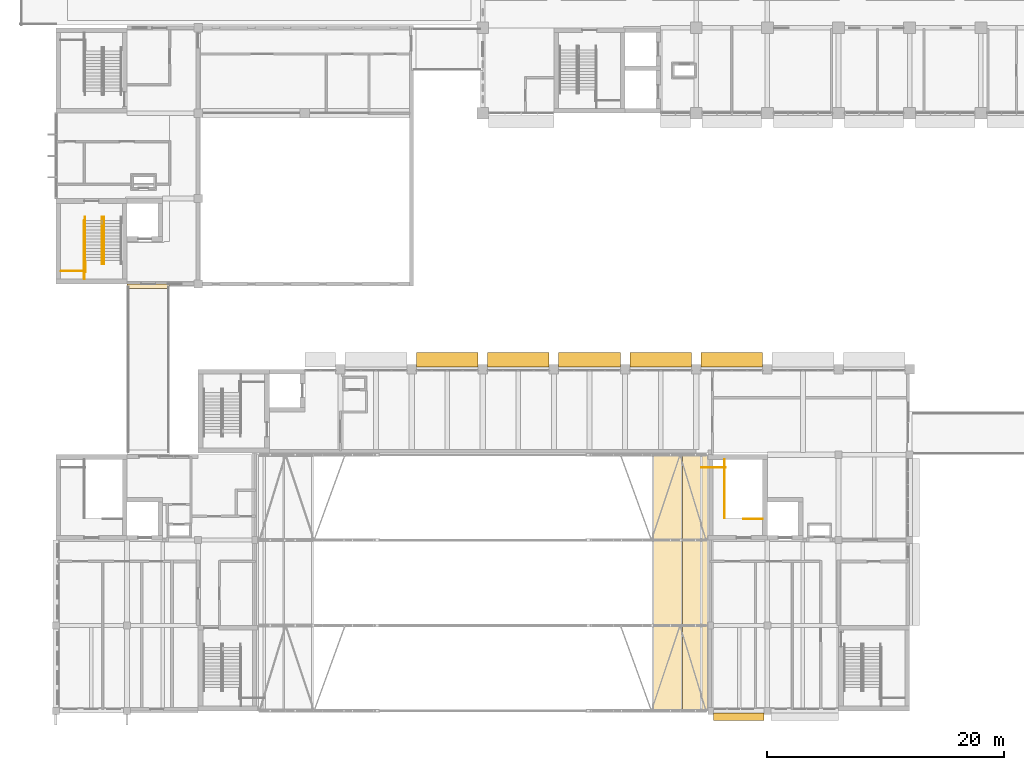
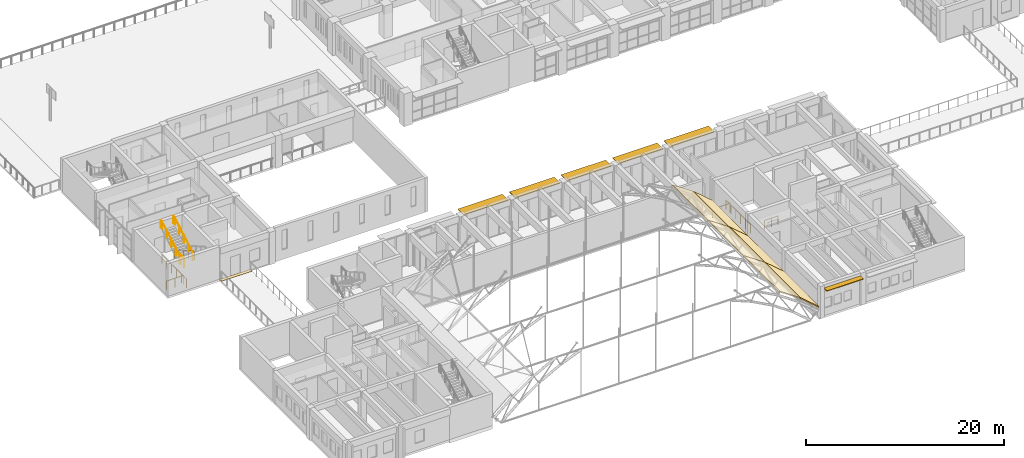
# One storey, part 90 of 101: 9 railings, 7 coverings, 6 shading devices.
"""IFC4 building model written with IfcOpenShell, lengths in metres."""

from ifc_helpers import new_model, si_unit, direction, frame, origin, origin_2d, place, context, subcontext, project, spatial, polyline, rectangle, circle, outline, extrude, material, layer, layer_set, type_object, element, save


model = new_model("IFC4")

# Units and contexts
model_context = context("Model", 3, precision=1e-05, world=origin(), true_north=direction((0.0, 1.0)))
body_context = subcontext(model_context, "Body", "Model", "MODEL_VIEW")
ifc_project = project(units=[si_unit("LENGTHUNIT", "METRE"), si_unit("AREAUNIT", "SQUARE_METRE"), si_unit("VOLUMEUNIT", "CUBIC_METRE"), si_unit("PLANEANGLEUNIT", "RADIAN"), si_unit("MASSUNIT", "GRAM", prefix="KILO")], contexts=[model_context])

# Site, building, storey
site_placement = place(None, origin())
site = spatial("IfcSite", under=ifc_project, at=site_placement, CompositionType="ELEMENT")
building_placement = place(site_placement, origin())
building = spatial("IfcBuilding", under=site, at=building_placement, Name="Laocheng Heights Fire and Rescue Headquarters", CompositionType="ELEMENT")
storey_placement = place(building_placement, frame((0.0, 0.0, 8.39990234375)))
storey = spatial("IfcBuildingStorey", under=building, at=storey_placement, Name="L02", CompositionType="ELEMENT", Elevation=8.39990234375)

# Coverings
ifc_material_1 = material(Name="Standing-seam aluminium roof panel on insulated profiled deck", Category="aluminium")
ifc_layer_1 = layer(ifc_material_1, 0.1201171875)
ifc_layer_set_1 = layer_set([ifc_layer_1], Name="Standing-seam aluminium roof panel on insulated profiled deck")
covering_type_1 = type_object("IfcCoveringType", Name="BAY ROOF COVERING 120", PredefinedType="ROOFING", material=ifc_layer_set_1)
covering_1_placement = place(storey_placement, frame((50.41796875, 0.0, 4.831298828125), z_axis=(0.562371430188, 0.0, 0.826884740764), x_axis=(0.826884740764, 0.0, -0.562371430188)))
element("IfcCovering", 1, at=covering_1_placement, inside=storey, type_object=covering_type_1, Name="Roof covering facet 15 bay 1", PredefinedType="ROOFING", context=body_context, shape_type="SweptSolid", body=[
    extrude(outline(polyline([(0.0, 0.0), (2.936000938603124, 0.0), (2.936000938603124, 7.199951171875002), (0.0, 7.199951171875002), (0.0, 0.0)])), origin(), (0.0, 0.0, -1.0), 0.1201171875),
])
covering_2_placement = place(storey_placement, frame((52.85693359375, 0.0, 3.17138671875), z_axis=(0.64997068291, 0.0, 0.759959282697), x_axis=(0.759959282697, 0.0, -0.64997068291)))
element("IfcCovering", 2, at=covering_2_placement, inside=storey, type_object=covering_type_1, Name="Roof covering facet 16 bay 1", PredefinedType="ROOFING", context=body_context, shape_type="SweptSolid", body=[
    extrude(outline(polyline([(0.0, 0.0), (2.916673017676569, 0.0), (2.916673017676569, 7.199951171875), (0.0, 7.199951171875), (0.0, 0.0)])), origin(), (0.0, 0.0, -1.0), 0.1201171875),
])
covering_3_placement = place(storey_placement, frame((50.41796875, 7.199951171875, 4.831298828125), z_axis=(0.562371430188, 0.0, 0.826884740764), x_axis=(0.826884740764, 0.0, -0.562371430188)))
element("IfcCovering", 3, at=covering_3_placement, inside=storey, type_object=covering_type_1, Name="Roof covering facet 15 bay 2", PredefinedType="ROOFING", context=body_context, shape_type="SweptSolid", body=[
    extrude(outline(polyline([(0.0, 0.0), (2.936000938603124, 0.0), (2.936000938603124, 7.199951171875002), (0.0, 7.199951171875002), (0.0, 0.0)])), origin(), (0.0, 0.0, -1.0), 0.1201171875),
])
covering_4_placement = place(storey_placement, frame((52.85693359375, 7.199951171875, 3.17138671875), z_axis=(0.64997068291, 0.0, 0.759959282697), x_axis=(0.759959282697, 0.0, -0.64997068291)))
element("IfcCovering", 4, at=covering_4_placement, inside=storey, type_object=covering_type_1, Name="Roof covering facet 16 bay 2", PredefinedType="ROOFING", context=body_context, shape_type="SweptSolid", body=[
    extrude(outline(polyline([(0.0, 0.0), (2.916673017676569, 0.0), (2.916673017676569, 7.199951171875), (0.0, 7.199951171875), (0.0, 0.0)])), origin(), (0.0, 0.0, -1.0), 0.1201171875),
])
covering_5_placement = place(storey_placement, frame((50.41796875, 14.39990234375, 4.831298828125), z_axis=(0.562371430188, 0.0, 0.826884740764), x_axis=(0.826884740764, 0.0, -0.562371430188)))
element("IfcCovering", 5, at=covering_5_placement, inside=storey, type_object=covering_type_1, Name="Roof covering facet 15 bay 3", PredefinedType="ROOFING", context=body_context, shape_type="SweptSolid", body=[
    extrude(outline(polyline([(0.0, 0.0), (2.936000938603124, 0.0), (2.936000938603124, 7.2001953125), (0.0, 7.2001953125), (0.0, 0.0)])), origin(), (0.0, 0.0, -1.0), 0.1201171875),
])
covering_6_placement = place(storey_placement, frame((52.85693359375, 14.39990234375, 3.17138671875), z_axis=(0.64997068291, 0.0, 0.759959282697), x_axis=(0.759959282697, 0.0, -0.64997068291)))
element("IfcCovering", 6, at=covering_6_placement, inside=storey, type_object=covering_type_1, Name="Roof covering facet 16 bay 3", PredefinedType="ROOFING", context=body_context, shape_type="SweptSolid", body=[
    extrude(outline(polyline([(0.0, 0.0), (2.916673017676569, 0.0), (2.916673017676569, 7.2001953125), (0.0, 7.2001953125), (0.0, 0.0)])), origin(), (0.0, 0.0, -1.0), 0.1201171875),
])
ifc_material_2 = material(Name="Stainless steel cover plate", Category="steel")
ifc_layer_2 = layer(ifc_material_2, 0.010009765625)
ifc_layer_set_2 = layer_set([ifc_layer_2], Name="Stainless steel cover plate")
covering_type_2 = type_object("IfcCoveringType", Name="MOVEMENT JOINT COVER PLATE 10", PredefinedType="FLOORING", material=ifc_layer_set_2)
covering_7_placement = place(storey_placement, frame((7.800048828125, 35.800048828125, -0.009765625), z_axis=(0.0, 0.0, 1.0), x_axis=(1.0, 0.0, 0.0)))
element("IfcCovering", 7, at=covering_7_placement, inside=storey, type_object=covering_type_2, Name="Bridge B1 movement joint cover plate", PredefinedType="FLOORING", context=body_context, shape_type="SweptSolid", body=[
    extrude(rectangle(XDim=3.60009765625, YDim=0.39990234375, at=origin_2d()), origin(), (0.0, 0.0, 1.0), 0.010009765625),
])

# Shading devices
ifc_material_3 = material(Name="Precast concrete C40/50, light warm grey", Category="concrete")
ifc_layer_3 = layer(ifc_material_3, 0.080078125)
ifc_layer_set_3 = layer_set([ifc_layer_3], Name="Precast concrete C40/50, light warm grey")
shading_device_type_1 = type_object("IfcShadingDeviceType", Name="PRECAST BLADE 1200 x 80 BRISE-SOLEIL GALLERY NORTH", PredefinedType="JALOUSIE", material=ifc_layer_set_3)
for number, where, z_axis, x_axis, name in (
    (8, (33.0, 29.60009765625, 3.56005859375), (0.0, 0.0, 1.0), (1.0, 0.0, 0.0), "BRISE-SOLEIL GALLERY NORTH L02"),
    (9, (39.0, 29.60009765625, 3.56005859375), (0.0, 0.0, 1.0), (1.0, 0.0, 0.0), "BRISE-SOLEIL GALLERY NORTH L02"),
    (10, (45.0, 29.60009765625, 3.56005859375), (0.0, 0.0, 1.0), (1.0, 0.0, 0.0), "BRISE-SOLEIL GALLERY NORTH L02"),
    (11, (51.0, 29.60009765625, 3.56005859375), (0.0, 0.0, 1.0), (1.0, 0.0, 0.0), "BRISE-SOLEIL GALLERY NORTH L02"),
    (12, (57.0, 29.60009765625, 3.56005859375), (0.0, 0.0, 1.0), (1.0, 0.0, 0.0), "BRISE-SOLEIL GALLERY NORTH L02"),
):
    element("IfcShadingDevice", number, at=place(storey_placement, frame(where, z_axis=z_axis, x_axis=x_axis)), inside=storey, type_object=shading_device_type_1, Name=name, PredefinedType="JALOUSIE", context=body_context, shape_type="SweptSolid", body=[
        extrude(rectangle(XDim=5.199951171875, YDim=1.199951171875, at=origin_2d()), origin(), (0.0, 0.0, 1.0), 0.080078125),
    ])
ifc_material_4 = material(Name="Precast concrete C40/50, light warm grey", Category="concrete")
ifc_layer_4 = layer(ifc_material_4, 0.080078125)
ifc_layer_set_4 = layer_set([ifc_layer_4], Name="Precast concrete C40/50, light warm grey")
shading_device_type_2 = type_object("IfcShadingDeviceType", Name="PRECAST BLADE 600 x 80 BLADE E FLANK SOUTH", PredefinedType="JALOUSIE", material=ifc_layer_set_4)
shading_device_placement = place(storey_placement, frame((57.574951171875, -0.5, 3.510009765625), z_axis=(0.0, 0.0, 1.0), x_axis=(1.0, 0.0, 0.0)))
element("IfcShadingDevice", 13, at=shading_device_placement, inside=storey, type_object=shading_device_type_2, Name="BLADE E FLANK SOUTH L02", PredefinedType="JALOUSIE", context=body_context, shape_type="SweptSolid", body=[
    extrude(rectangle(XDim=4.25, YDim=0.60009765625, at=origin_2d()), origin(), (0.0, 0.0, 1.0), 0.080078125),
])

# Railings
ifc_material_5 = material(Name="Steel Q355B", Category="steel")
railing_type_1 = type_object("IfcRailingType", Name="STAIR GUARD 1100", PredefinedType="GUARDRAIL", material=ifc_material_5)
railing_1_placement = place(storey_placement, frame((56.47509765625, 20.52001953125, 0.0)))
element("IfcRailing", 14, at=railing_1_placement, inside=storey, type_object=railing_type_1, Name="Stair E1 guard L02 tongue edge", PredefinedType="GUARDRAIL", context=body_context, shape_type="SweptSolid", body=[
    extrude(circle(Radius=0.02392578125, at=origin_2d()), frame((0.0, 0.0, 1.076171875), z_axis=(-1.0, 0.0, 0.0), x_axis=(0.0, -1.0, 0.0)), (0.0, 0.0, 1.0), 2.025146484375),
    extrude(circle(Radius=0.02099609375, at=origin_2d()), origin(), (0.0, 0.0, 1.0), 1.052001953125),
    extrude(circle(Radius=0.02099609375, at=origin_2d()), frame((-1.0126953125, 0.0, 0.0)), (0.0, 0.0, 1.0), 1.052001953125),
    extrude(circle(Radius=0.02099609375, at=origin_2d()), frame((-2.025146484375, 0.0, 0.0)), (0.0, 0.0, 1.0), 1.052001953125),
])
railing_2_placement = place(storey_placement, frame((56.39501953125, 21.179931640625, 0.0)))
element("IfcRailing", 15, at=railing_2_placement, inside=storey, type_object=railing_type_1, Name="Stair E1 guard L02 strip edge", PredefinedType="GUARDRAIL", context=body_context, shape_type="SweptSolid", body=[
    extrude(circle(Radius=0.02392578125, at=origin_2d()), frame((0.0, 0.0, 1.076171875), z_axis=(0.0, -1.0, 0.0), x_axis=(1.0, 0.0, 0.0)), (0.0, 0.0, 1.0), 4.929931640625),
    extrude(circle(Radius=0.02099609375, at=origin_2d()), origin(), (0.0, 0.0, 1.0), 1.052001953125),
    extrude(circle(Radius=0.02099609375, at=origin_2d()), frame((0.0, -0.986083984375, 0.0)), (0.0, 0.0, 1.0), 1.052001953125),
    extrude(circle(Radius=0.02099609375, at=origin_2d()), frame((0.0, -1.971923828125, 0.0)), (0.0, 0.0, 1.0), 1.052001953125),
    extrude(circle(Radius=0.02099609375, at=origin_2d()), frame((0.0, -2.9580078125, 0.0)), (0.0, 0.0, 1.0), 1.052001953125),
    extrude(circle(Radius=0.02099609375, at=origin_2d()), frame((0.0, -3.94384765625, 0.0)), (0.0, 0.0, 1.0), 1.052001953125),
    extrude(circle(Radius=0.02099609375, at=origin_2d()), frame((0.0, -4.929931640625, 0.0)), (0.0, 0.0, 1.0), 1.052001953125),
])
railing_3_placement = place(storey_placement, frame((59.580078125, 16.169921875, 0.0)))
element("IfcRailing", 16, at=railing_3_placement, inside=storey, type_object=railing_type_1, Name="Stair E1 guard L02 flight opening", PredefinedType="GUARDRAIL", context=body_context, shape_type="SweptSolid", body=[
    extrude(circle(Radius=0.02392578125, at=origin_2d()), frame((0.0, 0.0, 1.076171875), z_axis=(-1.0, 0.0, 0.0), x_axis=(0.0, -1.0, 0.0)), (0.0, 0.0, 1.0), 1.60498046875),
    extrude(circle(Radius=0.02099609375, at=origin_2d()), origin(), (0.0, 0.0, 1.0), 1.052001953125),
    extrude(circle(Radius=0.02099609375, at=origin_2d()), frame((-0.802490234375, 0.0, 0.0)), (0.0, 0.0, 1.0), 1.052001953125),
    extrude(circle(Radius=0.02099609375, at=origin_2d()), frame((-1.60498046875, 0.0, 0.0)), (0.0, 0.0, 1.0), 1.052001953125),
])
railing_4_placement = place(storey_placement, frame((2.47509765625, 37.080078125, 0.0)))
element("IfcRailing", 17, at=railing_4_placement, inside=storey, type_object=railing_type_1, Name="Stair P1 guard L02 tongue edge", PredefinedType="GUARDRAIL", context=body_context, shape_type="SweptSolid", body=[
    extrude(circle(Radius=0.02392578125, at=origin_2d()), frame((0.0, 0.0, 1.076171875), z_axis=(-1.0, 0.0, 0.0), x_axis=(0.0, -1.0, 0.0)), (0.0, 0.0, 1.0), 2.025146484375),
    extrude(circle(Radius=0.02099609375, at=origin_2d()), origin(), (0.0, 0.0, 1.0), 1.052001953125),
    extrude(circle(Radius=0.02099609375, at=origin_2d()), frame((-1.0126953125, 0.0, 0.0)), (0.0, 0.0, 1.0), 1.052001953125),
    extrude(circle(Radius=0.02099609375, at=origin_2d()), frame((-2.025146484375, 0.0, 0.0)), (0.0, 0.0, 1.0), 1.052001953125),
])
railing_5_placement = place(storey_placement, frame((2.39501953125, 36.419921875, 0.0)))
element("IfcRailing", 18, at=railing_5_placement, inside=storey, type_object=railing_type_1, Name="Stair P1 guard L02 strip edge", PredefinedType="GUARDRAIL", context=body_context, shape_type="SweptSolid", body=[
    extrude(circle(Radius=0.02392578125, at=origin_2d()), frame((0.0, 0.0, 1.076171875), z_axis=(0.0, 1.0, 0.0), x_axis=(-1.0, 0.0, 0.0)), (0.0, 0.0, 1.0), 4.93017578125),
    extrude(circle(Radius=0.02099609375, at=origin_2d()), origin(), (0.0, 0.0, 1.0), 1.052001953125),
    extrude(circle(Radius=0.02099609375, at=origin_2d()), frame((0.0, 0.986083984375, 0.0)), (0.0, 0.0, 1.0), 1.052001953125),
    extrude(circle(Radius=0.02099609375, at=origin_2d()), frame((0.0, 1.97216796875, 0.0)), (0.0, 0.0, 1.0), 1.052001953125),
    extrude(circle(Radius=0.02099609375, at=origin_2d()), frame((0.0, 2.9580078125, 0.0)), (0.0, 0.0, 1.0), 1.052001953125),
    extrude(circle(Radius=0.02099609375, at=origin_2d()), frame((0.0, 3.944091796875, 0.0)), (0.0, 0.0, 1.0), 1.052001953125),
    extrude(circle(Radius=0.02099609375, at=origin_2d()), frame((0.0, 4.93017578125, 0.0)), (0.0, 0.0, 1.0), 1.052001953125),
])
railing_6_placement = place(storey_placement, frame((2.5048828125, 37.02001953125, 2.10009765625)))
element("IfcRailing", 19, at=railing_6_placement, inside=storey, type_object=railing_type_1, Name="Stair P1 guard L02 half landing", PredefinedType="GUARDRAIL", context=body_context, shape_type="SweptSolid", body=[
    extrude(circle(Radius=0.02392578125, at=origin_2d()), frame((0.0, 0.0, 1.076171875), z_axis=(0.0, 1.0, 0.0), x_axis=(-1.0, 0.0, 0.0)), (0.0, 0.0, 1.0), 0.85009765625),
    extrude(circle(Radius=0.02099609375, at=origin_2d()), origin(), (0.0, 0.0, 1.0), 1.052001953125),
    extrude(circle(Radius=0.02099609375, at=origin_2d()), frame((0.0, 0.85009765625, 0.0)), (0.0, 0.0, 1.0), 1.052001953125),
])
ifc_material_6 = material(Name="Steel Q355B", Category="steel")
railing_type_2 = type_object("IfcRailingType", Name="STAIR HANDRAIL 920", PredefinedType="HANDRAIL", material=ifc_material_6)
railing_7_placement = place(storey_placement, frame((4.044921875, 41.64990234375, 0.0)))
element("IfcRailing", 20, at=railing_7_placement, inside=storey, type_object=railing_type_2, Name="Stair P1 handrail L02 2", PredefinedType="HANDRAIL", context=body_context, shape_type="SweptSolid", body=[
    extrude(circle(Radius=0.02392578125, at=origin_2d()), frame((0.0, 0.0, 0.89599609375), z_axis=(0.0, -0.868519587458, 0.495654845838), x_axis=(1.0, 0.0, 0.0)), (0.0, 0.0, 1.0), 4.237060546875),
    extrude(circle(Radius=0.02392578125, at=origin_2d()), frame((0.0, -3.679931640625, 2.99609375), z_axis=(0.0, -1.0, 0.0), x_axis=(1.0, 0.0, 0.0)), (0.0, 0.0, 1.0), 0.300048828125),
    extrude(circle(Radius=0.02099609375, at=origin_2d()), origin(), (0.0, 0.0, 1.0), 0.871826171875),
    extrude(circle(Radius=0.02099609375, at=origin_2d()), frame((0.0, -0.919921875, 0.52490234375)), (0.0, 0.0, 1.0), 0.871826171875),
    extrude(circle(Radius=0.02099609375, at=origin_2d()), frame((0.0, -1.83984375, 1.050048828125)), (0.0, 0.0, 1.0), 0.871826171875),
    extrude(circle(Radius=0.02099609375, at=origin_2d()), frame((0.0, -2.760009765625, 1.5751953125)), (0.0, 0.0, 1.0), 0.871826171875),
    extrude(circle(Radius=0.02099609375, at=origin_2d()), frame((0.0, -3.679931640625, 2.10009765625)), (0.0, 0.0, 1.0), 0.871826171875),
    extrude(circle(Radius=0.02099609375, at=origin_2d()), frame((0.0, -3.97998046875, 2.10009765625)), (0.0, 0.0, 1.0), 0.871826171875),
])
for number, where, name in (
    (21, (3.905029296875, 37.669921875, 2.10009765625), "Stair P1 handrail L02 3"),
    (22, (2.445068359375, 37.669921875, 2.10009765625), "Stair P1 handrail L02 4"),
):
    element("IfcRailing", number, at=place(storey_placement, frame(where)), inside=storey, type_object=railing_type_2, Name=name, PredefinedType="HANDRAIL", context=body_context, shape_type="SweptSolid", body=[
        extrude(circle(Radius=0.02392578125, at=origin_2d()), frame((0.0, 0.0, 0.89599609375), z_axis=(0.0, 0.868533742332, 0.495630041896), x_axis=(-1.0, 0.0, 0.0)), (0.0, 0.0, 1.0), 4.2373046875),
        extrude(circle(Radius=0.02392578125, at=origin_2d()), frame((0.0, 3.68017578125, 2.99609375), z_axis=(0.0, 1.0, 0.0), x_axis=(-1.0, 0.0, 0.0)), (0.0, 0.0, 1.0), 0.2998046875),
        extrude(circle(Radius=0.02099609375, at=origin_2d()), origin(), (0.0, 0.0, 1.0), 0.871826171875),
        extrude(circle(Radius=0.02099609375, at=origin_2d()), frame((0.0, 0.919921875, 0.52490234375)), (0.0, 0.0, 1.0), 0.871826171875),
        extrude(circle(Radius=0.02099609375, at=origin_2d()), frame((0.0, 1.840087890625, 1.050048828125)), (0.0, 0.0, 1.0), 0.871826171875),
        extrude(circle(Radius=0.02099609375, at=origin_2d()), frame((0.0, 2.76025390625, 1.5751953125)), (0.0, 0.0, 1.0), 0.871826171875),
        extrude(circle(Radius=0.02099609375, at=origin_2d()), frame((0.0, 3.68017578125, 2.10009765625)), (0.0, 0.0, 1.0), 0.871826171875),
        extrude(circle(Radius=0.02099609375, at=origin_2d()), frame((0.0, 3.97998046875, 2.10009765625)), (0.0, 0.0, 1.0), 0.871826171875),
    ])

save(model, "model.ifc")
